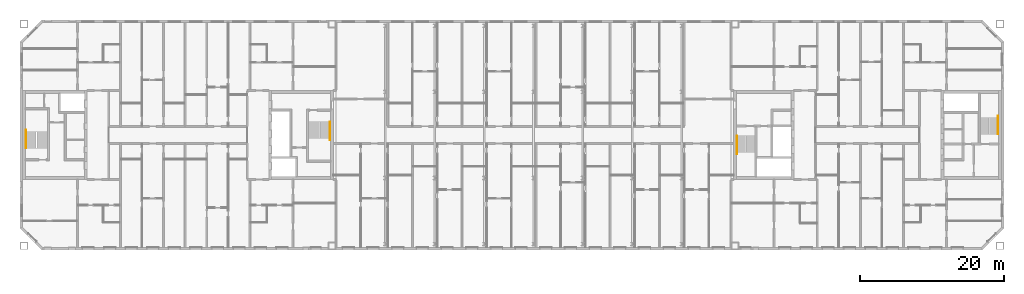
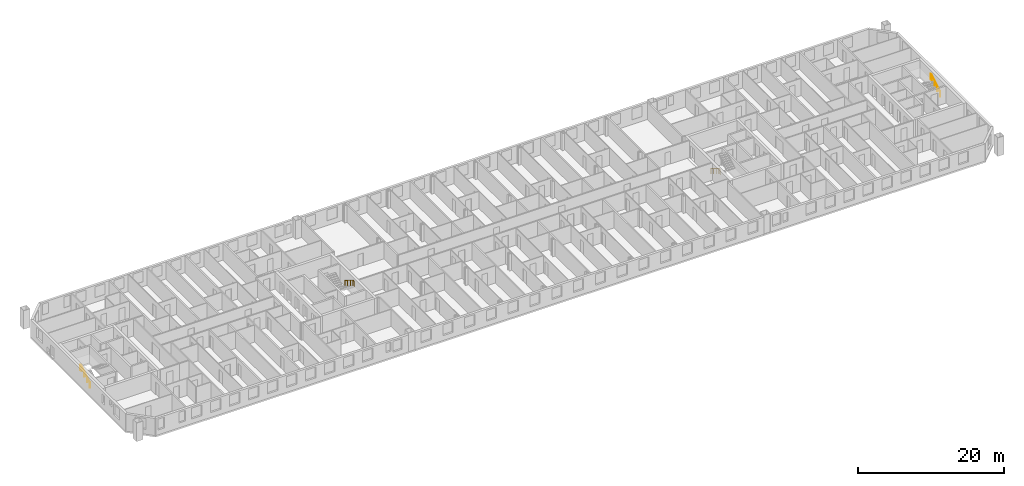
# One storey, part 19 of 19: 4 railings.
"""IFC4 building model written with IfcOpenShell, lengths in metres."""

from ifc_helpers import new_model, si_unit, direction, frame, origin, origin_2d, place, context, subcontext, project, spatial, circle, extrude, material, type_object, element, save


model = new_model("IFC4")

# Units and contexts
model_context = context("Model", 3, precision=1e-05, world=origin(), true_north=direction((0.0, 1.0)))
body_context = subcontext(model_context, "Body", "Model", "MODEL_VIEW")
ifc_project = project(units=[si_unit("LENGTHUNIT", "METRE"), si_unit("AREAUNIT", "SQUARE_METRE"), si_unit("VOLUMEUNIT", "CUBIC_METRE"), si_unit("PLANEANGLEUNIT", "RADIAN"), si_unit("MASSUNIT", "GRAM", prefix="KILO")], contexts=[model_context])

# Site, building, storey
site_placement = place(None, origin())
site = spatial("IfcSite", under=ifc_project, at=site_placement, CompositionType="ELEMENT")
building_placement = place(site_placement, origin())
building = spatial("IfcBuilding", under=site, at=building_placement, Name="Tuart Gate Housing", CompositionType="ELEMENT")
storey_placement = place(building_placement, frame((0.0, 0.0, 209.0)))
storey = spatial("IfcBuildingStorey", under=building, at=storey_placement, Name="L59", CompositionType="ELEMENT", Elevation=209.0)

# Railings
ifc_material = material(Name="Stainless steel", Category="steel")
railing_type = type_object("IfcRailingType", Name="Stair handrail 900", PredefinedType="HANDRAIL", material=ifc_material)
railing_1_placement = place(storey_placement, frame((75.179931640625, 71.824951171875, 0.172119140625)))
element("IfcRailing", 1, at=railing_1_placement, inside=storey, type_object=railing_type, Name="Stair handrail SA1.1", PredefinedType="HANDRAIL", context=body_context, shape_type="SweptSolid", body=[
    extrude(circle(Radius=0.02392578125, at=origin_2d()), frame((0.0, 0.0, 0.8759765625), z_axis=(0.0, -0.851747552033, 0.523952390591), x_axis=(1.0, 0.0, 0.0)), (0.0, 0.0, 1.0), 2.6298828125),
    extrude(circle(Radius=0.02392578125, at=origin_2d()), frame((0.0, -2.239990234375, 2.25390625), z_axis=(0.0, -1.0, 0.0), x_axis=(1.0, 0.0, 0.0)), (0.0, 0.0, 1.0), 0.300048828125),
    extrude(circle(Radius=0.02099609375, at=origin_2d()), origin(), (0.0, 0.0, 1.0), 0.851806640625),
    extrude(circle(Radius=0.02099609375, at=origin_2d()), frame((0.0, -0.74658203125, 0.459228515625)), (0.0, 0.0, 1.0), 0.851806640625),
    extrude(circle(Radius=0.02099609375, at=origin_2d()), frame((0.0, -1.493408203125, 0.918701171875)), (0.0, 0.0, 1.0), 0.851806640625),
    extrude(circle(Radius=0.02099609375, at=origin_2d()), frame((0.0, -2.239990234375, 1.3779296875)), (0.0, 0.0, 1.0), 0.851806640625),
    extrude(circle(Radius=0.02099609375, at=origin_2d()), frame((0.0, -2.5400390625, 1.3779296875)), (0.0, 0.0, 1.0), 0.851806640625),
])
railing_2_placement = place(storey_placement, frame((32.820068359375, 68.175048828125, 0.172119140625)))
element("IfcRailing", 2, at=railing_2_placement, inside=storey, type_object=railing_type, Name="Stair handrail SA2.1", PredefinedType="HANDRAIL", context=body_context, shape_type="SweptSolid", body=[
    extrude(circle(Radius=0.02392578125, at=origin_2d()), frame((0.0, 0.0, 0.8759765625), z_axis=(0.0, 0.851747552033, 0.523952390591), x_axis=(-1.0, 0.0, 0.0)), (0.0, 0.0, 1.0), 2.6298828125),
    extrude(circle(Radius=0.02392578125, at=origin_2d()), frame((0.0, 2.239990234375, 2.25390625), z_axis=(0.0, 1.0, 0.0), x_axis=(-1.0, 0.0, 0.0)), (0.0, 0.0, 1.0), 0.300048828125),
    extrude(circle(Radius=0.02099609375, at=origin_2d()), origin(), (0.0, 0.0, 1.0), 0.851806640625),
    extrude(circle(Radius=0.02099609375, at=origin_2d()), frame((0.0, 0.74658203125, 0.459228515625)), (0.0, 0.0, 1.0), 0.851806640625),
    extrude(circle(Radius=0.02099609375, at=origin_2d()), frame((0.0, 1.493408203125, 0.918701171875)), (0.0, 0.0, 1.0), 0.851806640625),
    extrude(circle(Radius=0.02099609375, at=origin_2d()), frame((0.0, 2.239990234375, 1.3779296875)), (0.0, 0.0, 1.0), 0.851806640625),
    extrude(circle(Radius=0.02099609375, at=origin_2d()), frame((0.0, 2.5400390625, 1.3779296875)), (0.0, 0.0, 1.0), 0.851806640625),
])
railing_3_placement = place(storey_placement, frame((131.820068359375, 69.875, 0.172119140625)))
element("IfcRailing", 3, at=railing_3_placement, inside=storey, type_object=railing_type, Name="Stair handrail SB1.1", PredefinedType="HANDRAIL", context=body_context, shape_type="SweptSolid", body=[
    extrude(circle(Radius=0.02392578125, at=origin_2d()), frame((0.0, 0.0, 0.8759765625), z_axis=(0.0, -0.851747552033, 0.523952390591), x_axis=(1.0, 0.0, 0.0)), (0.0, 0.0, 1.0), 2.6298828125),
    extrude(circle(Radius=0.02392578125, at=origin_2d()), frame((0.0, -2.239990234375, 2.25390625), z_axis=(0.0, -1.0, 0.0), x_axis=(1.0, 0.0, 0.0)), (0.0, 0.0, 1.0), 0.300048828125),
    extrude(circle(Radius=0.02099609375, at=origin_2d()), origin(), (0.0, 0.0, 1.0), 0.851806640625),
    extrude(circle(Radius=0.02099609375, at=origin_2d()), frame((0.0, -0.74658203125, 0.459228515625)), (0.0, 0.0, 1.0), 0.851806640625),
    extrude(circle(Radius=0.02099609375, at=origin_2d()), frame((0.0, -1.493408203125, 0.918701171875)), (0.0, 0.0, 1.0), 0.851806640625),
    extrude(circle(Radius=0.02099609375, at=origin_2d()), frame((0.0, -2.239990234375, 1.3779296875)), (0.0, 0.0, 1.0), 0.851806640625),
    extrude(circle(Radius=0.02099609375, at=origin_2d()), frame((0.0, -2.5400390625, 1.3779296875)), (0.0, 0.0, 1.0), 0.851806640625),
])
railing_4_placement = place(storey_placement, frame((168.179931640625, 70.125, 0.172119140625)))
element("IfcRailing", 4, at=railing_4_placement, inside=storey, type_object=railing_type, Name="Stair handrail SB2.1", PredefinedType="HANDRAIL", context=body_context, shape_type="SweptSolid", body=[
    extrude(circle(Radius=0.02392578125, at=origin_2d()), frame((0.0, 0.0, 0.8759765625), z_axis=(0.0, 0.851747552033, 0.523952390591), x_axis=(-1.0, 0.0, 0.0)), (0.0, 0.0, 1.0), 2.6298828125),
    extrude(circle(Radius=0.02392578125, at=origin_2d()), frame((0.0, 2.239990234375, 2.25390625), z_axis=(0.0, 1.0, 0.0), x_axis=(-1.0, 0.0, 0.0)), (0.0, 0.0, 1.0), 0.300048828125),
    extrude(circle(Radius=0.02099609375, at=origin_2d()), origin(), (0.0, 0.0, 1.0), 0.851806640625),
    extrude(circle(Radius=0.02099609375, at=origin_2d()), frame((0.0, 0.74658203125, 0.459228515625)), (0.0, 0.0, 1.0), 0.851806640625),
    extrude(circle(Radius=0.02099609375, at=origin_2d()), frame((0.0, 1.493408203125, 0.918701171875)), (0.0, 0.0, 1.0), 0.851806640625),
    extrude(circle(Radius=0.02099609375, at=origin_2d()), frame((0.0, 2.239990234375, 1.3779296875)), (0.0, 0.0, 1.0), 0.851806640625),
    extrude(circle(Radius=0.02099609375, at=origin_2d()), frame((0.0, 2.5400390625, 1.3779296875)), (0.0, 0.0, 1.0), 0.851806640625),
])

save(model, "model.ifc")
